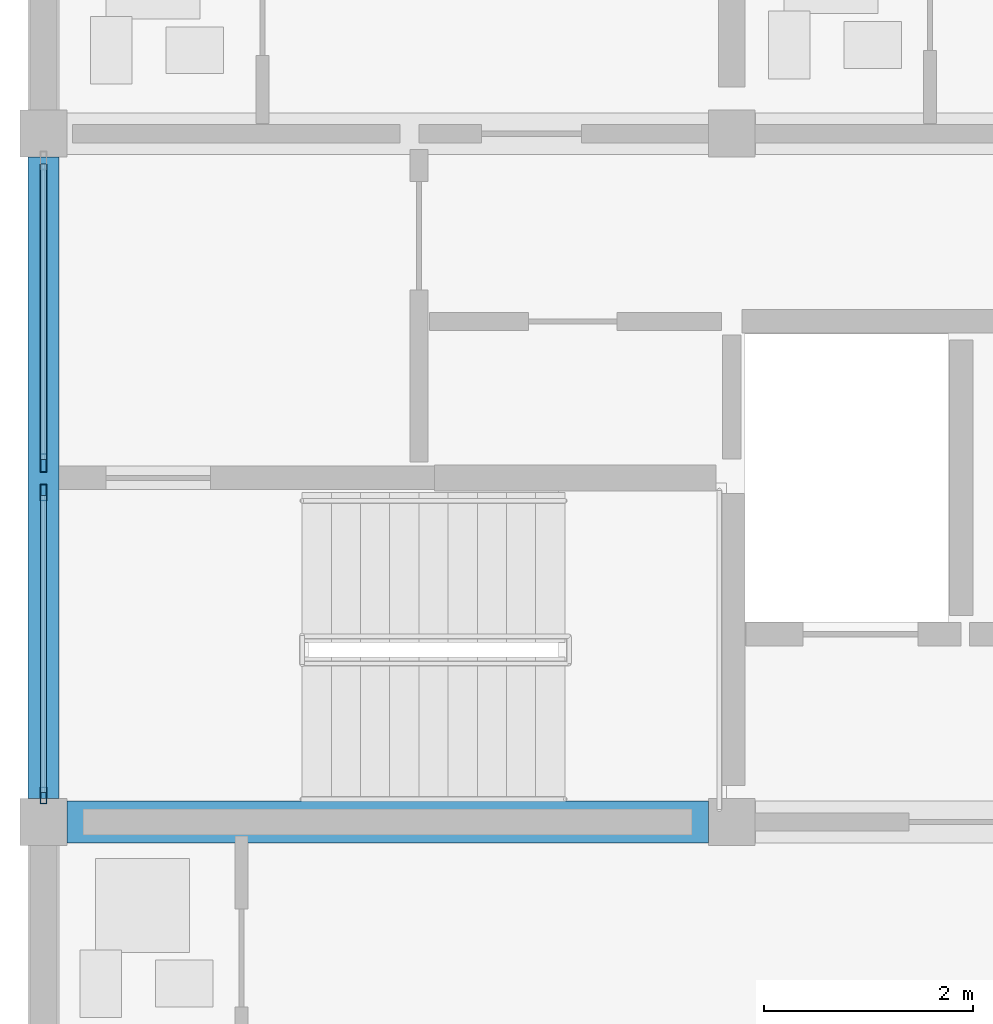
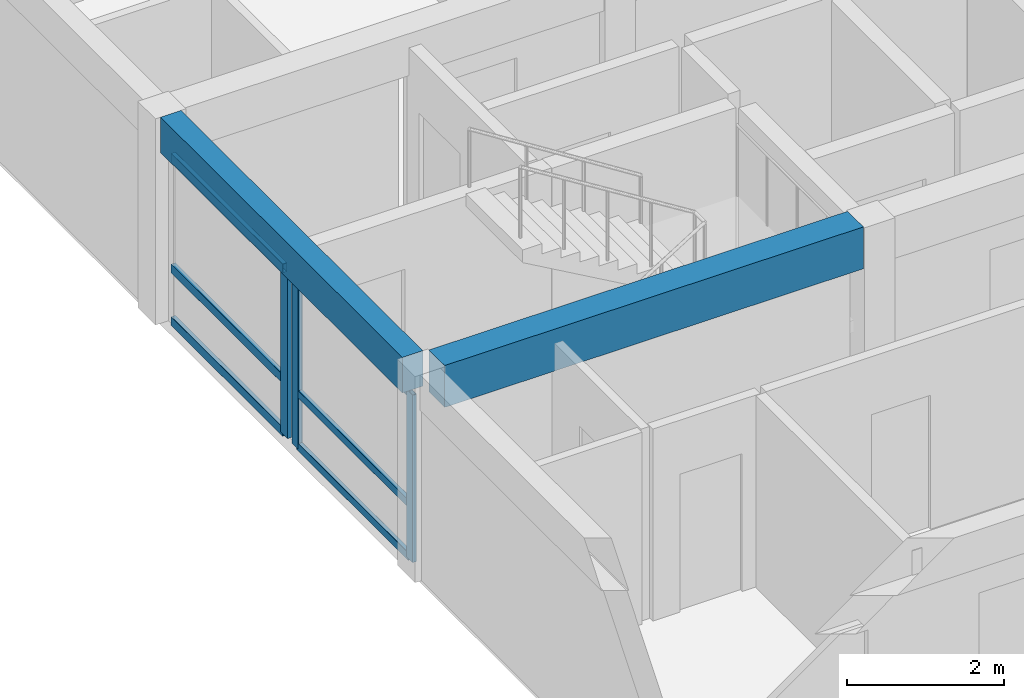
# One storey, part 9 of 34: 9 members, 2 beams, 2 elements without a shape of their own.
"""IFC4 building model written with IfcOpenShell, lengths in metres."""

from ifc_helpers import new_model, si_unit, direction, frame, origin, origin_2d, place, context, subcontext, project, spatial, rectangle, hollow_rectangle, extrude, material, material_profile, profile_set, type_object, element, aggregate, save


model = new_model("IFC4")

# Units and contexts
model_context = context("Model", 3, precision=1e-05, world=origin(), true_north=direction((0.0, 1.0)))
body_context = subcontext(model_context, "Body", "Model", "MODEL_VIEW")
ifc_project = project(units=[si_unit("LENGTHUNIT", "METRE"), si_unit("AREAUNIT", "SQUARE_METRE"), si_unit("VOLUMEUNIT", "CUBIC_METRE"), si_unit("PLANEANGLEUNIT", "RADIAN"), si_unit("MASSUNIT", "GRAM", prefix="KILO")], contexts=[model_context])

# Site, building, storey
site_placement = place(None, origin())
site = spatial("IfcSite", under=ifc_project, at=site_placement, CompositionType="ELEMENT")
building_placement = place(site_placement, origin())
building = spatial("IfcBuilding", under=site, at=building_placement, Name="Kernevlak Ridge Housing Community", CompositionType="ELEMENT")
storey_placement = place(building_placement, frame((0.0, 0.0, 40.39990234375)))
storey = spatial("IfcBuildingStorey", under=building, at=storey_placement, Name="L12", CompositionType="ELEMENT", Elevation=40.39990234375)

# Beam
ifc_material_1 = material(Name="Concrete C35/45", Category="concrete")
ifc_material_profile_1 = material_profile(ifc_material_1, rectangle(XDim=0.39990234375, YDim=0.64990234375, at=origin_2d()), Name="RC 400x650")
ifc_profile_set_1 = profile_set([ifc_material_profile_1], Name="Concrete C35/45")
beam_type_1 = type_object("IfcBeamType", Name="B-03", PredefinedType="T_BEAM", material=ifc_profile_set_1)
beam_1_placement = place(storey_placement, frame((15.824951171875, 82.60009765625, 2.875), z_axis=(1.0, 0.0, 0.0), x_axis=(0.0, 1.0, 0.0)))
element("IfcBeam", 1, at=beam_1_placement, inside=storey, type_object=beam_type_1, Name="Beam B-03 L12 374", PredefinedType="T_BEAM", context=body_context, shape_type="SweptSolid", body=[
    extrude(rectangle(XDim=0.39990234375, YDim=0.64990234375, at=origin_2d()), origin(), (0.0, 0.0, 1.0), 6.150146484375),
])

# Curtain wall, members
ifc_material_2 = material(Name="Aluminium EN AW-6060 anodised and laminated glass", Category="aluminium")
curtain_wall_type_1 = type_object("IfcCurtainWallType", Name="CW-01", PredefinedType="NOTDEFINED", material=ifc_material_2)
curtain_wall_1_placement = place(storey_placement, origin())
curtain_wall_1 = element("IfcCurtainWall", 2, at=curtain_wall_1_placement, inside=storey, type_object=curtain_wall_type_1, Name="Curtain wall CW-01 CW-L12-037", PredefinedType="NOTDEFINED")
ifc_material_3 = material(Name="Aluminium EN AW-6060 anodised", Category="aluminium")
ifc_material_profile_2 = material_profile(ifc_material_3, hollow_rectangle(XDim=0.06005859375, YDim=0.159912109375, WallThickness=0.00390625, InnerFilletRadius=0.001953125, OuterFilletRadius=0.00390625, at=origin_2d()), Name="ALU 60x160x4")
ifc_profile_set_2 = profile_set([ifc_material_profile_2], Name="Aluminium EN AW-6060 anodised")
member_type_1 = type_object("IfcMemberType", Name="MU-02", PredefinedType="MULLION", material=ifc_profile_set_2)
member_1_placement = place(storey_placement, frame((15.60009765625, 82.85498046875, 0.0), z_axis=(0.0, 0.0, 1.0), x_axis=(-1.0, 0.0, 0.0)))
member_1 = element("IfcMember", 3, at=member_1_placement, type_object=member_type_1, Name="CW-01 mullion 1", PredefinedType="MULLION", context=body_context, shape_type="SweptSolid", body=[
    extrude(hollow_rectangle(XDim=0.06005859375, YDim=0.159912109375, WallThickness=0.00390625, InnerFilletRadius=0.001953125, OuterFilletRadius=0.00390625, at=origin_2d()), origin(), (0.0, 0.0, 1.0), 2.60009765625),
])
member_2_placement = place(storey_placement, frame((15.60009765625, 85.760009765625, 0.0), z_axis=(0.0, 0.0, 1.0), x_axis=(-1.0, 0.0, 0.0)))
member_2 = element("IfcMember", 4, at=member_2_placement, type_object=member_type_1, Name="CW-01 mullion 2", PredefinedType="MULLION", context=body_context, shape_type="SweptSolid", body=[
    extrude(hollow_rectangle(XDim=0.06005859375, YDim=0.159912109375, WallThickness=0.00390625, InnerFilletRadius=0.001953125, OuterFilletRadius=0.00390625, at=origin_2d()), origin(), (0.0, 0.0, 1.0), 2.60009765625),
])

# Curtain wall, member
curtain_wall_type_2 = type_object("IfcCurtainWallType", Name="CW-07", PredefinedType="NOTDEFINED", material=ifc_material_2)
curtain_wall_2_placement = place(storey_placement, origin())
curtain_wall_2 = element("IfcCurtainWall", 5, at=curtain_wall_2_placement, inside=storey, type_object=curtain_wall_type_2, Name="Curtain wall CW-07 CW-L12-038", PredefinedType="NOTDEFINED")
ifc_material_profile_3 = material_profile(ifc_material_3, hollow_rectangle(XDim=0.06494140625, YDim=0.179931640625, WallThickness=0.00439453125, InnerFilletRadius=0.001953125, OuterFilletRadius=0.00439453125, at=origin_2d()), Name="ALU 65x180x4.5")
ifc_profile_set_3 = profile_set([ifc_material_profile_3], Name="Aluminium EN AW-6060 anodised")
member_type_2 = type_object("IfcMemberType", Name="MU-03", PredefinedType="MULLION", material=ifc_profile_set_3)
member_3_placement = place(storey_placement, frame((15.60009765625, 86.04248046875, 0.0), z_axis=(0.0, 0.0, 1.0), x_axis=(-1.0, 0.0, 0.0)))
member_3 = element("IfcMember", 6, at=member_3_placement, type_object=member_type_2, Name="CW-07 mullion 1", PredefinedType="MULLION", context=body_context, shape_type="SweptSolid", body=[
    extrude(hollow_rectangle(XDim=0.06494140625, YDim=0.179931640625, WallThickness=0.00439453125, InnerFilletRadius=0.001953125, OuterFilletRadius=0.00439453125, at=origin_2d()), origin(), (0.0, 0.0, 1.0), 2.60009765625),
])

# Beam
ifc_material_profile_4 = material_profile(ifc_material_1, rectangle(XDim=0.300048828125, YDim=0.550048828125, at=origin_2d()), Name="RC 300x550")
ifc_profile_set_4 = profile_set([ifc_material_profile_4], Name="Concrete C35/45")
beam_type_2 = type_object("IfcBeamType", Name="SP-01", PredefinedType="SPANDREL", material=ifc_profile_set_4)
beam_2_placement = place(storey_placement, frame((15.60009765625, 82.824951171875, 2.925048828125), z_axis=(0.0, 1.0, 0.0), x_axis=(-1.0, 0.0, 0.0)))
element("IfcBeam", 7, at=beam_2_placement, inside=storey, type_object=beam_type_2, Name="Beam SP-01 L12 390", PredefinedType="SPANDREL", context=body_context, shape_type="SweptSolid", body=[
    extrude(rectangle(XDim=0.300048828125, YDim=0.550048828125, at=origin_2d()), origin(), (0.0, 0.0, 1.0), 6.150146484375),
])

# Member
ifc_material_profile_5 = material_profile(ifc_material_3, hollow_rectangle(XDim=0.06005859375, YDim=0.1201171875, WallThickness=0.00390625, InnerFilletRadius=0.001953125, OuterFilletRadius=0.00390625, at=origin_2d()), Name="ALU 60x120x4")
ifc_profile_set_5 = profile_set([ifc_material_profile_5], Name="Aluminium EN AW-6060 anodised")
member_type_3 = type_object("IfcMemberType", Name="TM-02", PredefinedType="USERDEFINED", material=ifc_profile_set_5)
member_4_placement = place(storey_placement, frame((15.60009765625, 82.885009765625, 0.030029296875), z_axis=(0.0, 1.0, 0.0), x_axis=(-1.0, 0.0, 0.0)))
member_4 = element("IfcMember", 8, at=member_4_placement, type_object=member_type_3, Name="CW-01 transom 1.1", ObjectType="TRANSOM", PredefinedType="USERDEFINED", context=body_context, shape_type="SweptSolid", body=[
    extrude(hollow_rectangle(XDim=0.06005859375, YDim=0.1201171875, WallThickness=0.00390625, InnerFilletRadius=0.001953125, OuterFilletRadius=0.00390625, at=origin_2d()), origin(), (0.0, 0.0, 1.0), 2.844970703125),
])

member_5_placement = place(storey_placement, frame((15.60009765625, 82.885009765625, 0.85009765625), z_axis=(0.0, 1.0, 0.0), x_axis=(-1.0, 0.0, 0.0)))
member_5 = element("IfcMember", 9, at=member_5_placement, type_object=member_type_3, Name="CW-01 transom 1.2", ObjectType="TRANSOM", PredefinedType="USERDEFINED", context=body_context, shape_type="SweptSolid", body=[
    extrude(hollow_rectangle(XDim=0.06005859375, YDim=0.1201171875, WallThickness=0.00390625, InnerFilletRadius=0.001953125, OuterFilletRadius=0.00390625, at=origin_2d()), origin(), (0.0, 0.0, 1.0), 2.844970703125),
])

member_6_placement = place(storey_placement, frame((15.60009765625, 82.885009765625, 2.570068359375), z_axis=(0.0, 1.0, 0.0), x_axis=(-1.0, 0.0, 0.0)))
member_6 = element("IfcMember", 10, at=member_6_placement, type_object=member_type_3, Name="CW-01 transom 1.3", ObjectType="TRANSOM", PredefinedType="USERDEFINED", context=body_context, shape_type="SweptSolid", body=[
    extrude(hollow_rectangle(XDim=0.06005859375, YDim=0.1201171875, WallThickness=0.00390625, InnerFilletRadius=0.001953125, OuterFilletRadius=0.00390625, at=origin_2d()), origin(), (0.0, 0.0, 1.0), 2.844970703125),
])

aggregate(curtain_wall_1, [member_1, member_2, member_4, member_5, member_6])

ifc_material_profile_6 = material_profile(ifc_material_3, hollow_rectangle(XDim=0.06494140625, YDim=0.139892578125, WallThickness=0.00390625, InnerFilletRadius=0.001953125, OuterFilletRadius=0.00390625, at=origin_2d()), Name="ALU 65x140x4")
ifc_profile_set_6 = profile_set([ifc_material_profile_6], Name="Aluminium EN AW-6060 anodised")
member_type_4 = type_object("IfcMemberType", Name="TM-03", PredefinedType="USERDEFINED", material=ifc_profile_set_6)
member_7_placement = place(storey_placement, frame((15.60009765625, 86.074951171875, 0.03271484375), z_axis=(0.0, 1.0, 0.0), x_axis=(-1.0, 0.0, 0.0)))
member_7 = element("IfcMember", 11, at=member_7_placement, type_object=member_type_4, Name="CW-07 transom 1.1", ObjectType="TRANSOM", PredefinedType="USERDEFINED", context=body_context, shape_type="SweptSolid", body=[
    extrude(hollow_rectangle(XDim=0.06494140625, YDim=0.139892578125, WallThickness=0.00390625, InnerFilletRadius=0.001953125, OuterFilletRadius=0.00390625, at=origin_2d()), origin(), (0.0, 0.0, 1.0), 2.8349609375),
])

member_8_placement = place(storey_placement, frame((15.60009765625, 86.074951171875, 0.85009765625), z_axis=(0.0, 1.0, 0.0), x_axis=(-1.0, 0.0, 0.0)))
member_8 = element("IfcMember", 12, at=member_8_placement, type_object=member_type_4, Name="CW-07 transom 1.2", ObjectType="TRANSOM", PredefinedType="USERDEFINED", context=body_context, shape_type="SweptSolid", body=[
    extrude(hollow_rectangle(XDim=0.06494140625, YDim=0.139892578125, WallThickness=0.00390625, InnerFilletRadius=0.001953125, OuterFilletRadius=0.00390625, at=origin_2d()), origin(), (0.0, 0.0, 1.0), 2.8349609375),
])

member_9_placement = place(storey_placement, frame((15.60009765625, 86.074951171875, 2.567626953125), z_axis=(0.0, 1.0, 0.0), x_axis=(-1.0, 0.0, 0.0)))
member_9 = element("IfcMember", 13, at=member_9_placement, type_object=member_type_4, Name="CW-07 transom 1.3", ObjectType="TRANSOM", PredefinedType="USERDEFINED", context=body_context, shape_type="SweptSolid", body=[
    extrude(hollow_rectangle(XDim=0.06494140625, YDim=0.139892578125, WallThickness=0.00390625, InnerFilletRadius=0.001953125, OuterFilletRadius=0.00390625, at=origin_2d()), origin(), (0.0, 0.0, 1.0), 2.8349609375),
])

aggregate(curtain_wall_2, [member_3, member_7, member_8, member_9])

save(model, "model.ifc")
